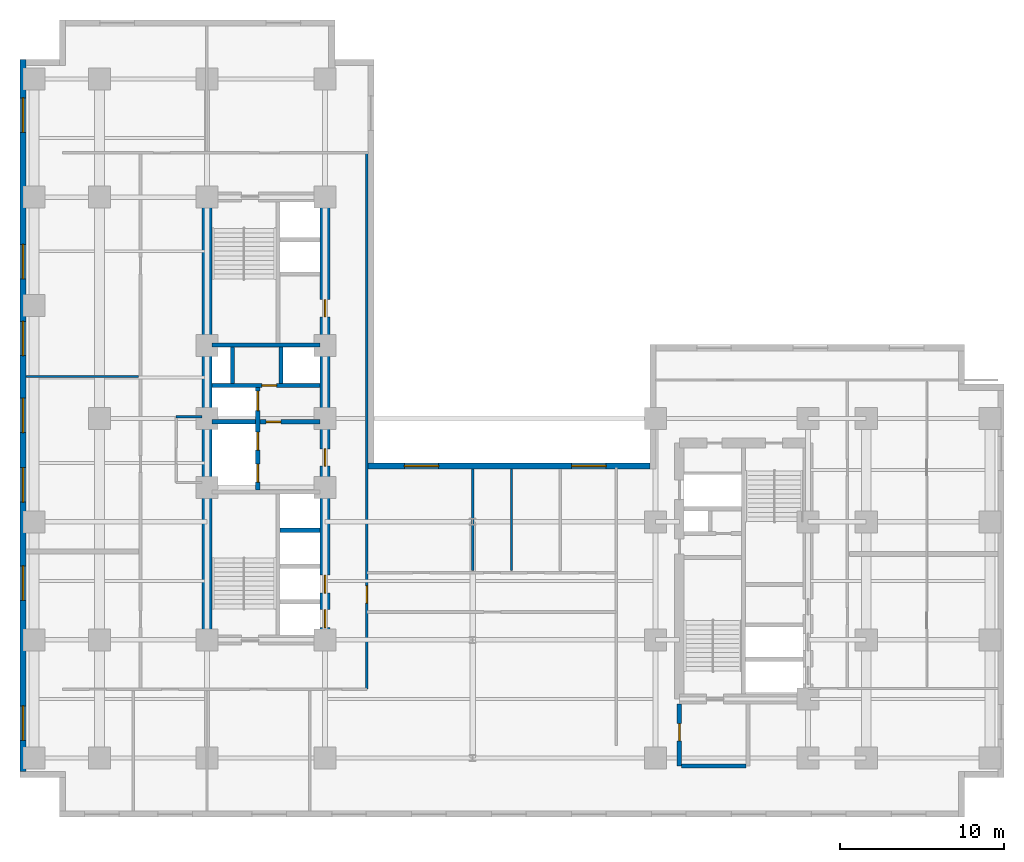
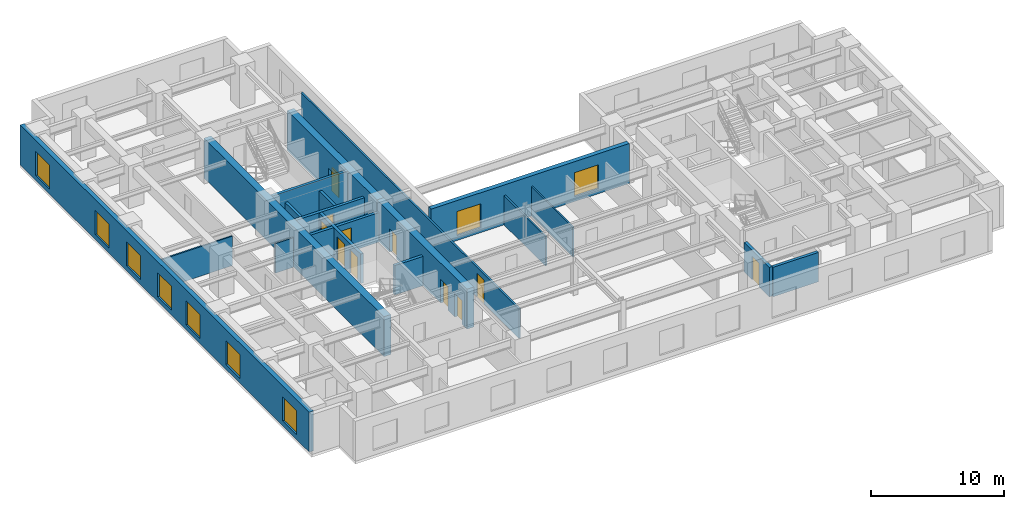
# One storey, part 4 of 9: 19 walls, 11 doors, 9 windows, 20 openings.
"""IFC4 building model written with IfcOpenShell, lengths in metres."""

from ifc_helpers import new_model, entity, si_unit, converted_unit, direction, frame, origin_with_axes, origin_2d_with_axis, place, context, subcontext, project, spatial, polyline, rectangle, outline, extrude, material, layer, layer_set, type_object, element, fill, save


model = new_model("IFC4")

# Units and contexts
model_context = context("Model", 3, precision=1e-05, world=origin_with_axes(), true_north=direction((0.0, 1.0)))
body_context = subcontext(model_context, "Body", "Model", "MODEL_VIEW")
ifc_project = project(units=[si_unit("LENGTHUNIT", "METRE"), si_unit("AREAUNIT", "SQUARE_METRE"), si_unit("VOLUMEUNIT", "CUBIC_METRE"), converted_unit("PLANEANGLEUNIT", "DEGREE", entity("IfcPlaneAngleMeasure", 0.017453292519943295), si_unit("PLANEANGLEUNIT", "RADIAN"), dimensions=[0, 0, 0, 0, 0, 0, 0]), si_unit("MASSUNIT", "GRAM", prefix="KILO"), si_unit("THERMODYNAMICTEMPERATUREUNIT", "KELVIN")], contexts=[model_context])

# Site, building, storey
site_placement = place(None, origin_with_axes())
site = spatial("IfcSite", under=ifc_project, at=site_placement, CompositionType="ELEMENT")
building_placement = place(site_placement, origin_with_axes())
building = spatial("IfcBuilding", under=site, at=building_placement, Name="Varnlund Millrace Tower", CompositionType="ELEMENT")
storey_placement = place(building_placement, frame((0.0, 0.0, 67.8), z_axis=(0.0, 0.0, 1.0), x_axis=(1.0, 0.0, 0.0)))
storey = spatial("IfcBuildingStorey", under=building, at=storey_placement, Name="L16", CompositionType="ELEMENT", Elevation=67.8)

# Wall
ifc_material_1 = material(Name="Concrete C80/95", Category="concrete")
ifc_layer_1 = layer(ifc_material_1, 0.6, Name="Concrete C80/95")
ifc_layer_set_1 = layer_set([ifc_layer_1], Name="Concrete C80/95")
wall_type_1 = type_object("IfcWallType", Name="Type-CoreWall-Shear-600-C80", PredefinedType="SHEAR", material=ifc_layer_set_1)
wall_1_placement = place(storey_placement, frame((11.4, 10.8, 0.0), z_axis=(0.0, 0.0, 1.0), x_axis=(0.0, 1.0, 0.0)))
element("IfcWall", 1, at=wall_1_placement, inside=storey, type_object=wall_type_1, Name="Type-CoreWall-Shear-600-C80", PredefinedType="SHEAR", context=body_context, shape_type="SweptSolid", body=[
    extrude(outline(polyline([(0.0, -0.3), (27.0, -0.3), (27.0, 0.3), (0.0, 0.3), (0.0, -0.3)])), origin_with_axes(), (0.0, 0.0, 1.0), 3.66),
])

# Wall, openings, doors
wall_2_placement = place(storey_placement, frame((18.6, 10.8, 0.0), z_axis=(0.0, 0.0, 1.0), x_axis=(0.0, 1.0, 0.0)))
wall_2 = element("IfcWall", 2, at=wall_2_placement, inside=storey, type_object=wall_type_1, Name="Type-CoreWall-Shear-600-C80", PredefinedType="SHEAR", context=body_context, shape_type="SweptSolid", body=[
    extrude(outline(polyline([(0.0, -0.3), (13.5, -0.3), (13.5, 0.3), (0.0, 0.3), (0.0, -0.3)])), origin_with_axes(), (0.0, 0.0, 1.0), 3.66),
])
opening_1_placement = place(wall_2_placement, frame((1.3, 0.0, 0.0), z_axis=(0.0, 0.0, 1.0), x_axis=(1.0, 0.0, 0.0)))
opening_1 = element("IfcOpeningElement", 3, at=opening_1_placement, cuts=wall_2, Name="Opening L16:LD-ELV-L1", PredefinedType="OPENING", context=body_context, shape_type="SweptSolid", body=[
    extrude(rectangle(XDim=1.1, YDim=0.62, at=origin_2d_with_axis()), origin_with_axes(), (0.0, 0.0, 1.0), 2.15),
])
opening_2_placement = place(wall_2_placement, frame((3.4, 0.0, 0.0), z_axis=(0.0, 0.0, 1.0), x_axis=(1.0, 0.0, 0.0)))
opening_2 = element("IfcOpeningElement", 4, at=opening_2_placement, cuts=wall_2, Name="Opening L16:LD-ELV-L2", PredefinedType="OPENING", context=body_context, shape_type="SweptSolid", body=[
    extrude(rectangle(XDim=1.1, YDim=0.62, at=origin_2d_with_axis()), origin_with_axes(), (0.0, 0.0, 1.0), 2.15),
])
opening_3_placement = place(wall_2_placement, frame((11.125, 0.0, 0.0), z_axis=(0.0, 0.0, 1.0), x_axis=(1.0, 0.0, 0.0)))
opening_3 = element("IfcOpeningElement", 5, at=opening_3_placement, cuts=wall_2, Name="Opening L16:DR-FFLOB-A", PredefinedType="OPENING", context=body_context, shape_type="SweptSolid", body=[
    extrude(rectangle(XDim=1.05, YDim=0.62, at=origin_2d_with_axis()), origin_with_axes(), (0.0, 0.0, 1.0), 2.15),
])
ifc_material_2 = material(Name="Smoke-barrier hollow steel fire door", Category="steel")
door_type_1 = type_object("IfcDoorType", Name="Type-FireDoor-Lobby-1050X2150", OperationType="NOTDEFINED", PredefinedType="DOOR", material=ifc_material_2)
door_1_placement = place(wall_2_placement, frame((11.125, 0.0, 0.0), z_axis=(0.0, 0.0, 1.0), x_axis=(1.0, 0.0, 0.0)))
door_1 = element("IfcDoor", 6, at=door_1_placement, inside=storey, type_object=door_type_1, Name="Type-FireDoor-Lobby-1050X2150", OperationType="SINGLE_SWING_LEFT", OverallHeight=2.15, OverallWidth=1.05, PredefinedType="DOOR", context=body_context, shape_type="SweptSolid", body=[
    extrude(rectangle(XDim=1.05, YDim=0.09, at=origin_2d_with_axis()), origin_with_axes(), (0.0, 0.0, 1.0), 2.15),
])
fill(opening_3, door_1)
ifc_material_3 = material(Name="Stainless and architectural bronze sliding landing door")
door_type_2 = type_object("IfcDoorType", Name="Type-LiftLandingDoor-1100X2150", OperationType="NOTDEFINED", PredefinedType="DOOR", material=ifc_material_3)
door_2_placement = place(wall_2_placement, frame((1.3, 0.0, 0.0), z_axis=(0.0, 0.0, 1.0), x_axis=(1.0, 0.0, 0.0)))
door_2 = element("IfcDoor", 7, at=door_2_placement, inside=storey, type_object=door_type_2, Name="Type-LiftLandingDoor-1100X2150", OperationType="SLIDING_TO_LEFT", OverallHeight=2.15, OverallWidth=1.1, PredefinedType="DOOR", context=body_context, shape_type="SweptSolid", body=[
    extrude(rectangle(XDim=1.1, YDim=0.09, at=origin_2d_with_axis()), origin_with_axes(), (0.0, 0.0, 1.0), 2.15),
])
fill(opening_1, door_2)
door_3_placement = place(wall_2_placement, frame((3.4, 0.0, 0.0), z_axis=(0.0, 0.0, 1.0), x_axis=(1.0, 0.0, 0.0)))
door_3 = element("IfcDoor", 8, at=door_3_placement, inside=storey, type_object=door_type_2, Name="Type-LiftLandingDoor-1100X2150", OperationType="SLIDING_TO_RIGHT", OverallHeight=2.15, OverallWidth=1.1, PredefinedType="DOOR", context=body_context, shape_type="SweptSolid", body=[
    extrude(rectangle(XDim=1.1, YDim=0.09, at=origin_2d_with_axis()), origin_with_axes(), (0.0, 0.0, 1.0), 2.15),
])
fill(opening_2, door_3)

# Wall, opening, door
wall_3_placement = place(storey_placement, frame((18.6, 24.3, 0.0), z_axis=(0.0, 0.0, 1.0), x_axis=(0.0, 1.0, 0.0)))
wall_3 = element("IfcWall", 9, at=wall_3_placement, inside=storey, type_object=wall_type_1, Name="Type-CoreWall-Shear-600-C80", PredefinedType="SHEAR", context=body_context, shape_type="SweptSolid", body=[
    extrude(outline(polyline([(0.0, -0.3), (13.5, -0.3), (13.5, 0.3), (0.0, 0.3), (0.0, -0.3)])), origin_with_axes(), (0.0, 0.0, 1.0), 3.66),
])
opening_4_placement = place(wall_3_placement, frame((6.725, 0.0, 0.0), z_axis=(0.0, 0.0, 1.0), x_axis=(1.0, 0.0, 0.0)))
opening_4 = element("IfcOpeningElement", 10, at=opening_4_placement, cuts=wall_3, Name="Opening L16:DR-CA-WC1", PredefinedType="OPENING", context=body_context, shape_type="SweptSolid", body=[
    extrude(rectangle(XDim=1.05, YDim=0.62, at=origin_2d_with_axis()), origin_with_axes(), (0.0, 0.0, 1.0), 2.15),
])
door_4_placement = place(wall_3_placement, frame((6.725, 0.0, 0.0), z_axis=(0.0, 0.0, 1.0), x_axis=(1.0, 0.0, 0.0)))
door_4 = element("IfcDoor", 11, at=door_4_placement, inside=storey, type_object=door_type_1, Name="Type-FireDoor-Lobby-1050X2150", OperationType="SINGLE_SWING_LEFT", OverallHeight=2.15, OverallWidth=1.05, PredefinedType="DOOR", context=body_context, shape_type="SweptSolid", body=[
    extrude(rectangle(XDim=1.05, YDim=0.09, at=origin_2d_with_axis()), origin_with_axes(), (0.0, 0.0, 1.0), 2.15),
])
fill(opening_4, door_4)

# Wall, openings, windows
ifc_material_4 = material(Name="Precast concrete C50/60", Category="concrete")
ifc_layer_2 = layer(ifc_material_4, 0.38, Name="Precast concrete C50/60")
ifc_layer_set_2 = layer_set([ifc_layer_2], Name="Precast concrete C50/60")
wall_type_2 = type_object("IfcWallType", Name="Type-ExtWall-Precast-Tube-380", PredefinedType="SOLIDWALL", material=ifc_layer_set_2)
wall_4_placement = place(storey_placement, frame((0.19, 2.78, 0.0), z_axis=(0.0, 0.0, 1.0), x_axis=(0.0, 1.0, 0.0)))
wall_4 = element("IfcWall", 12, at=wall_4_placement, inside=storey, type_object=wall_type_2, Name="Type-ExtWall-Precast-Tube-380", PredefinedType="SOLIDWALL", context=body_context, shape_type="SweptSolid", body=[
    extrude(outline(polyline([(0.0, -0.19), (43.42, -0.19), (43.42, 0.19), (0.0, 0.19), (0.0, -0.19)])), origin_with_axes(), (0.0, 0.0, 1.0), 3.66),
])
opening_5_placement = place(wall_4_placement, frame((2.946, 0.0, 0.45), z_axis=(0.0, 0.0, 1.0), x_axis=(1.0, 0.0, 0.0)))
opening_5 = element("IfcOpeningElement", 13, at=opening_5_placement, cuts=wall_4, Name="Opening L16:WN-17", PredefinedType="OPENING", context=body_context, shape_type="SweptSolid", body=[
    extrude(rectangle(XDim=2.1, YDim=0.4, at=origin_2d_with_axis()), origin_with_axes(), (0.0, 0.0, 1.0), 2.2),
])
opening_6_placement = place(wall_4_placement, frame((11.478, 0.0, 0.45), z_axis=(0.0, 0.0, 1.0), x_axis=(1.0, 0.0, 0.0)))
opening_6 = element("IfcOpeningElement", 14, at=opening_6_placement, cuts=wall_4, Name="Opening L16:WN-18", PredefinedType="OPENING", context=body_context, shape_type="SweptSolid", body=[
    extrude(rectangle(XDim=2.1, YDim=0.4, at=origin_2d_with_axis()), origin_with_axes(), (0.0, 0.0, 1.0), 2.2),
])
opening_7_placement = place(wall_4_placement, frame((17.469, 0.0, 0.45), z_axis=(0.0, 0.0, 1.0), x_axis=(1.0, 0.0, 0.0)))
opening_7 = element("IfcOpeningElement", 15, at=opening_7_placement, cuts=wall_4, Name="Opening L16:WN-19", PredefinedType="OPENING", context=body_context, shape_type="SweptSolid", body=[
    extrude(rectangle(XDim=2.1, YDim=0.4, at=origin_2d_with_axis()), origin_with_axes(), (0.0, 0.0, 1.0), 2.2),
])
opening_8_placement = place(wall_4_placement, frame((21.71, 0.0, 0.45), z_axis=(0.0, 0.0, 1.0), x_axis=(1.0, 0.0, 0.0)))
opening_8 = element("IfcOpeningElement", 16, at=opening_8_placement, cuts=wall_4, Name="Opening L16:WN-20", PredefinedType="OPENING", context=body_context, shape_type="SweptSolid", body=[
    extrude(rectangle(XDim=2.1, YDim=0.4, at=origin_2d_with_axis()), origin_with_axes(), (0.0, 0.0, 1.0), 2.2),
])
opening_9_placement = place(wall_4_placement, frame((26.401, 0.0, 0.45), z_axis=(0.0, 0.0, 1.0), x_axis=(1.0, 0.0, 0.0)))
opening_9 = element("IfcOpeningElement", 17, at=opening_9_placement, cuts=wall_4, Name="Opening L16:WN-21", PredefinedType="OPENING", context=body_context, shape_type="SweptSolid", body=[
    extrude(rectangle(XDim=2.1, YDim=0.4, at=origin_2d_with_axis()), origin_with_axes(), (0.0, 0.0, 1.0), 2.2),
])
opening_10_placement = place(wall_4_placement, frame((31.092, 0.0, 0.45), z_axis=(0.0, 0.0, 1.0), x_axis=(1.0, 0.0, 0.0)))
opening_10 = element("IfcOpeningElement", 18, at=opening_10_placement, cuts=wall_4, Name="Opening L16:WN-22", PredefinedType="OPENING", context=body_context, shape_type="SweptSolid", body=[
    extrude(rectangle(XDim=2.1, YDim=0.4, at=origin_2d_with_axis()), origin_with_axes(), (0.0, 0.0, 1.0), 2.2),
])
opening_11_placement = place(wall_4_placement, frame((40.024, 0.0, 0.45), z_axis=(0.0, 0.0, 1.0), x_axis=(1.0, 0.0, 0.0)))
opening_11 = element("IfcOpeningElement", 19, at=opening_11_placement, cuts=wall_4, Name="Opening L16:WN-23", PredefinedType="OPENING", context=body_context, shape_type="SweptSolid", body=[
    extrude(rectangle(XDim=2.1, YDim=0.4, at=origin_2d_with_axis()), origin_with_axes(), (0.0, 0.0, 1.0), 2.2),
])
ifc_material_5 = material(Name="Argon low-e triple glazing in thermally broken bronze frame", Category="glass")
window_type = type_object("IfcWindowType", Name="Type-Window-Punched-2100X2200", PartitioningType="SINGLE_PANEL", PredefinedType="WINDOW", material=ifc_material_5)
window_1_placement = place(wall_4_placement, frame((2.946, 0.0, 0.45), z_axis=(0.0, 0.0, 1.0), x_axis=(1.0, 0.0, 0.0)))
window_1 = element("IfcWindow", 20, at=window_1_placement, inside=storey, type_object=window_type, Name="Type-Window-Punched-2100X2200", OverallHeight=2.2, OverallWidth=2.1, PredefinedType="WINDOW", context=body_context, shape_type="SweptSolid", body=[
    extrude(rectangle(XDim=2.1, YDim=0.09, at=origin_2d_with_axis()), origin_with_axes(), (0.0, 0.0, 1.0), 2.2),
])
fill(opening_5, window_1)
window_2_placement = place(wall_4_placement, frame((11.478, 0.0, 0.45), z_axis=(0.0, 0.0, 1.0), x_axis=(1.0, 0.0, 0.0)))
window_2 = element("IfcWindow", 21, at=window_2_placement, inside=storey, type_object=window_type, Name="Type-Window-Punched-2100X2200", OverallHeight=2.2, OverallWidth=2.1, PredefinedType="WINDOW", context=body_context, shape_type="SweptSolid", body=[
    extrude(rectangle(XDim=2.1, YDim=0.09, at=origin_2d_with_axis()), origin_with_axes(), (0.0, 0.0, 1.0), 2.2),
])
fill(opening_6, window_2)
window_3_placement = place(wall_4_placement, frame((17.469, 0.0, 0.45), z_axis=(0.0, 0.0, 1.0), x_axis=(1.0, 0.0, 0.0)))
window_3 = element("IfcWindow", 22, at=window_3_placement, inside=storey, type_object=window_type, Name="Type-Window-Punched-2100X2200", OverallHeight=2.2, OverallWidth=2.1, PredefinedType="WINDOW", context=body_context, shape_type="SweptSolid", body=[
    extrude(rectangle(XDim=2.1, YDim=0.09, at=origin_2d_with_axis()), origin_with_axes(), (0.0, 0.0, 1.0), 2.2),
])
fill(opening_7, window_3)
window_4_placement = place(wall_4_placement, frame((21.71, 0.0, 0.45), z_axis=(0.0, 0.0, 1.0), x_axis=(1.0, 0.0, 0.0)))
window_4 = element("IfcWindow", 23, at=window_4_placement, inside=storey, type_object=window_type, Name="Type-Window-Punched-2100X2200", OverallHeight=2.2, OverallWidth=2.1, PredefinedType="WINDOW", context=body_context, shape_type="SweptSolid", body=[
    extrude(rectangle(XDim=2.1, YDim=0.09, at=origin_2d_with_axis()), origin_with_axes(), (0.0, 0.0, 1.0), 2.2),
])
fill(opening_8, window_4)
window_5_placement = place(wall_4_placement, frame((26.401, 0.0, 0.45), z_axis=(0.0, 0.0, 1.0), x_axis=(1.0, 0.0, 0.0)))
window_5 = element("IfcWindow", 24, at=window_5_placement, inside=storey, type_object=window_type, Name="Type-Window-Punched-2100X2200", OverallHeight=2.2, OverallWidth=2.1, PredefinedType="WINDOW", context=body_context, shape_type="SweptSolid", body=[
    extrude(rectangle(XDim=2.1, YDim=0.09, at=origin_2d_with_axis()), origin_with_axes(), (0.0, 0.0, 1.0), 2.2),
])
fill(opening_9, window_5)
window_6_placement = place(wall_4_placement, frame((31.092, 0.0, 0.45), z_axis=(0.0, 0.0, 1.0), x_axis=(1.0, 0.0, 0.0)))
window_6 = element("IfcWindow", 25, at=window_6_placement, inside=storey, type_object=window_type, Name="Type-Window-Punched-2100X2200", OverallHeight=2.2, OverallWidth=2.1, PredefinedType="WINDOW", context=body_context, shape_type="SweptSolid", body=[
    extrude(rectangle(XDim=2.1, YDim=0.09, at=origin_2d_with_axis()), origin_with_axes(), (0.0, 0.0, 1.0), 2.2),
])
fill(opening_10, window_6)
window_7_placement = place(wall_4_placement, frame((40.024, 0.0, 0.45), z_axis=(0.0, 0.0, 1.0), x_axis=(1.0, 0.0, 0.0)))
window_7 = element("IfcWindow", 26, at=window_7_placement, inside=storey, type_object=window_type, Name="Type-Window-Punched-2100X2200", OverallHeight=2.2, OverallWidth=2.1, PredefinedType="WINDOW", context=body_context, shape_type="SweptSolid", body=[
    extrude(rectangle(XDim=2.1, YDim=0.09, at=origin_2d_with_axis()), origin_with_axes(), (0.0, 0.0, 1.0), 2.2),
])
fill(opening_11, window_7)

wall_5_placement = place(storey_placement, frame((21.22, 21.41, 0.0), z_axis=(0.0, 0.0, 1.0), x_axis=(1.0, 0.0, 0.0)))
wall_5 = element("IfcWall", 27, at=wall_5_placement, inside=storey, type_object=wall_type_2, Name="Type-ExtWall-Precast-Tube-380", PredefinedType="SOLIDWALL", context=body_context, shape_type="SweptSolid", body=[
    extrude(outline(polyline([(0.0, -0.19), (17.18, -0.19), (17.18, 0.19), (0.0, 0.19), (0.0, -0.19)])), origin_with_axes(), (0.0, 0.0, 1.0), 3.66),
])
opening_12_placement = place(wall_5_placement, frame((3.263, 0.0, 0.45), z_axis=(0.0, 0.0, 1.0), x_axis=(1.0, 0.0, 0.0)))
opening_12 = element("IfcOpeningElement", 28, at=opening_12_placement, cuts=wall_5, Name="Opening L16:WN-27", PredefinedType="OPENING", context=body_context, shape_type="SweptSolid", body=[
    extrude(rectangle(XDim=2.1, YDim=0.4, at=origin_2d_with_axis()), origin_with_axes(), (0.0, 0.0, 1.0), 2.2),
])
opening_13_placement = place(wall_5_placement, frame((13.467, 0.0, 0.45), z_axis=(0.0, 0.0, 1.0), x_axis=(1.0, 0.0, 0.0)))
opening_13 = element("IfcOpeningElement", 29, at=opening_13_placement, cuts=wall_5, Name="Opening L16:WN-28", PredefinedType="OPENING", context=body_context, shape_type="SweptSolid", body=[
    extrude(rectangle(XDim=2.1, YDim=0.4, at=origin_2d_with_axis()), origin_with_axes(), (0.0, 0.0, 1.0), 2.2),
])
window_8_placement = place(wall_5_placement, frame((3.263, 0.0, 0.45), z_axis=(0.0, 0.0, 1.0), x_axis=(1.0, 0.0, 0.0)))
window_8 = element("IfcWindow", 30, at=window_8_placement, inside=storey, type_object=window_type, Name="Type-Window-Punched-2100X2200", OverallHeight=2.2, OverallWidth=2.1, PredefinedType="WINDOW", context=body_context, shape_type="SweptSolid", body=[
    extrude(rectangle(XDim=2.1, YDim=0.09, at=origin_2d_with_axis()), origin_with_axes(), (0.0, 0.0, 1.0), 2.2),
])
fill(opening_12, window_8)
window_9_placement = place(wall_5_placement, frame((13.467, 0.0, 0.45), z_axis=(0.0, 0.0, 1.0), x_axis=(1.0, 0.0, 0.0)))
window_9 = element("IfcWindow", 31, at=window_9_placement, inside=storey, type_object=window_type, Name="Type-Window-Punched-2100X2200", OverallHeight=2.2, OverallWidth=2.1, PredefinedType="WINDOW", context=body_context, shape_type="SweptSolid", body=[
    extrude(rectangle(XDim=2.1, YDim=0.09, at=origin_2d_with_axis()), origin_with_axes(), (0.0, 0.0, 1.0), 2.2),
])
fill(opening_13, window_9)

# Wall, opening, door
ifc_material_6 = material(Name="Fire-rated gypsum board on cold-formed steel framing", Category="steel")
ifc_layer_3 = layer(ifc_material_6, 0.16, Name="Fire-rated gypsum board on cold-formed steel framing")
ifc_layer_set_3 = layer_set([ifc_layer_3], Name="Fire-rated gypsum board on cold-formed steel framing")
wall_type_3 = type_object("IfcWallType", Name="Type-Partition-Corridor-160", PredefinedType="PARTITIONING", material=ifc_layer_set_3)
wall_6_placement = place(storey_placement, frame((21.15, 7.8, 0.0), z_axis=(0.0, 0.0, 1.0), x_axis=(0.0, 1.0, 0.0)))
wall_6 = element("IfcWall", 32, at=wall_6_placement, inside=storey, type_object=wall_type_3, Name="Type-Partition-Corridor-160", PredefinedType="PARTITIONING", context=body_context, shape_type="SweptSolid", body=[
    extrude(outline(polyline([(0.0, -0.08), (32.7, -0.08), (32.7, 0.08), (0.0, 0.08), (0.0, -0.08)])), origin_with_axes(), (0.0, 0.0, 1.0), 2.7),
])
opening_14_placement = place(wall_6_placement, frame((5.775, 0.0, 0.0), z_axis=(0.0, 0.0, 1.0), x_axis=(1.0, 0.0, 0.0)))
opening_14 = element("IfcOpeningElement", 33, at=opening_14_placement, cuts=wall_6, Name="Opening L16:DR-KN-W", PredefinedType="OPENING", context=body_context, shape_type="SweptSolid", body=[
    extrude(rectangle(XDim=1.05, YDim=0.18, at=origin_2d_with_axis()), origin_with_axes(), (0.0, 0.0, 1.0), 2.15),
])
door_5_placement = place(wall_6_placement, frame((5.775, 0.0, 0.0), z_axis=(0.0, 0.0, 1.0), x_axis=(1.0, 0.0, 0.0)))
door_5 = element("IfcDoor", 34, at=door_5_placement, inside=storey, type_object=door_type_1, Name="Type-FireDoor-Lobby-1050X2150", OperationType="SINGLE_SWING_LEFT", OverallHeight=2.15, OverallWidth=1.05, PredefinedType="DOOR", context=body_context, shape_type="SweptSolid", body=[
    extrude(rectangle(XDim=1.05, YDim=0.09, at=origin_2d_with_axis()), origin_with_axes(), (0.0, 0.0, 1.0), 2.15),
])
fill(opening_14, door_5)

# Walls
ifc_material_7 = material(Name="Acoustic STC-50 gypsum board partition", Category="gypsum")
ifc_layer_4 = layer(ifc_material_7, 0.15, Name="Acoustic STC-50 gypsum board partition")
ifc_layer_set_4 = layer_set([ifc_layer_4], Name="Acoustic STC-50 gypsum board partition")
wall_type_4 = type_object("IfcWallType", Name="Type-Partition-Demising-150", PredefinedType="PARTITIONING", material=ifc_layer_set_4)
wall_7_placement = place(storey_placement, frame((27.6, 15.02, 0.0), z_axis=(0.0, 0.0, 1.0), x_axis=(0.0, 1.0, 0.0)))
element("IfcWall", 35, at=wall_7_placement, inside=storey, type_object=wall_type_4, Name="Type-Partition-Demising-150", PredefinedType="PARTITIONING", context=body_context, shape_type="SweptSolid", body=[
    extrude(outline(polyline([(0.0, -0.075), (6.205, -0.075), (6.205, 0.075), (0.0, 0.075), (0.0, -0.075)])), origin_with_axes(), (0.0, 0.0, 1.0), 2.7),
])
ifc_material_8 = material(Name="Gypsum board tenant partition", Category="gypsum")
ifc_layer_5 = layer(ifc_material_8, 0.125, Name="Gypsum board tenant partition")
ifc_layer_set_5 = layer_set([ifc_layer_5], Name="Gypsum board tenant partition")
wall_type_5 = type_object("IfcWallType", Name="Type-Partition-Tenant-125", PredefinedType="PARTITIONING", material=ifc_layer_set_5)
wall_8_placement = place(storey_placement, frame((0.375, 26.867, 0.0), z_axis=(0.0, 0.0, 1.0), x_axis=(1.0, 0.0, 0.0)))
element("IfcWall", 36, at=wall_8_placement, inside=storey, type_object=wall_type_5, Name="Type-Partition-Tenant-125", PredefinedType="PARTITIONING", context=body_context, shape_type="SweptSolid", body=[
    extrude(outline(polyline([(0.0, -0.0625), (6.855, -0.0625), (6.855, 0.0625), (0.0, 0.0625), (0.0, -0.0625)])), origin_with_axes(), (0.0, 0.0, 1.0), 2.7),
])
wall_9_placement = place(storey_placement, frame((29.964, 15.02, 0.0), z_axis=(0.0, 0.0, 1.0), x_axis=(0.0, 1.0, 0.0)))
element("IfcWall", 37, at=wall_9_placement, inside=storey, type_object=wall_type_5, Name="Type-Partition-Tenant-125", PredefinedType="PARTITIONING", context=body_context, shape_type="SweptSolid", body=[
    extrude(outline(polyline([(0.0, -0.0625), (6.205, -0.0625), (6.205, 0.0625), (0.0, 0.0625), (0.0, -0.0625)])), origin_with_axes(), (0.0, 0.0, 1.0), 2.7),
])
ifc_material_9 = material(Name="Moisture-resistant gypsum restroom partition", Category="gypsum")
ifc_layer_6 = layer(ifc_material_9, 0.14, Name="Moisture-resistant gypsum restroom partition")
ifc_layer_set_6 = layer_set([ifc_layer_6], Name="Moisture-resistant gypsum restroom partition")
wall_type_6 = type_object("IfcWallType", Name="Type-Partition-Wet-140", PredefinedType="PARTITIONING", material=ifc_layer_set_6)
wall_10_placement = place(storey_placement, frame((9.52, 24.4, 0.0), z_axis=(0.0, 0.0, 1.0), x_axis=(1.0, 0.0, 0.0)))
element("IfcWall", 38, at=wall_10_placement, inside=storey, type_object=wall_type_6, Name="Type-Partition-Wet-140", PredefinedType="PARTITIONING", context=body_context, shape_type="SweptSolid", body=[
    extrude(outline(polyline([(0.0, -0.07), (1.58, -0.07), (1.58, 0.07), (0.0, 0.07), (0.0, -0.07)])), origin_with_axes(), (0.0, 0.0, 1.0), 2.7),
])

# Wall, openings, doors
ifc_material_10 = material(Name="Concrete C60/75", Category="concrete")
ifc_layer_7 = layer(ifc_material_10, 0.25, Name="Concrete C60/75")
ifc_layer_set_7 = layer_set([ifc_layer_7], Name="Concrete C60/75")
wall_type_7 = type_object("IfcWallType", Name="Type-ShaftWall-Fire-250", PredefinedType="SOLIDWALL", material=ifc_layer_set_7)
wall_11_placement = place(storey_placement, frame((14.5, 19.95, 0.0), z_axis=(0.0, 0.0, 1.0), x_axis=(0.0, 1.0, 0.0)))
wall_11 = element("IfcWall", 39, at=wall_11_placement, inside=storey, type_object=wall_type_7, Name="Type-ShaftWall-Fire-250", PredefinedType="SOLIDWALL", context=body_context, shape_type="SweptSolid", body=[
    extrude(outline(polyline([(0.0, -0.125), (6.25, -0.125), (6.25, 0.125), (0.0, 0.125), (0.0, -0.125)])), origin_with_axes(), (0.0, 0.0, 1.0), 2.7),
])
opening_15_placement = place(wall_11_placement, frame((1.025, 0.0, 0.0), z_axis=(0.0, 0.0, 1.0), x_axis=(1.0, 0.0, 0.0)))
opening_15 = element("IfcOpeningElement", 40, at=opening_15_placement, cuts=wall_11, Name="Opening L16:LD-FSAE1", PredefinedType="OPENING", context=body_context, shape_type="SweptSolid", body=[
    extrude(rectangle(XDim=1.1, YDim=0.27, at=origin_2d_with_axis()), origin_with_axes(), (0.0, 0.0, 1.0), 2.15),
])
opening_16_placement = place(wall_11_placement, frame((2.975, 0.0, 0.0), z_axis=(0.0, 0.0, 1.0), x_axis=(1.0, 0.0, 0.0)))
opening_16 = element("IfcOpeningElement", 41, at=opening_16_placement, cuts=wall_11, Name="Opening L16:LD-FSAE2", PredefinedType="OPENING", context=body_context, shape_type="SweptSolid", body=[
    extrude(rectangle(XDim=1.1, YDim=0.27, at=origin_2d_with_axis()), origin_with_axes(), (0.0, 0.0, 1.0), 2.15),
])
opening_17_placement = place(wall_11_placement, frame((5.425, 0.0, 0.0), z_axis=(0.0, 0.0, 1.0), x_axis=(1.0, 0.0, 0.0)))
opening_17 = element("IfcOpeningElement", 42, at=opening_17_placement, cuts=wall_11, Name="Opening L16:LD-SRV1", PredefinedType="OPENING", context=body_context, shape_type="SweptSolid", body=[
    extrude(rectangle(XDim=1.2, YDim=0.27, at=origin_2d_with_axis()), origin_with_axes(), (0.0, 0.0, 1.0), 2.15),
])
door_6_placement = place(wall_11_placement, frame((1.025, 0.0, 0.0), z_axis=(0.0, 0.0, 1.0), x_axis=(1.0, 0.0, 0.0)))
door_6 = element("IfcDoor", 43, at=door_6_placement, inside=storey, type_object=door_type_2, Name="Type-LiftLandingDoor-1100X2150", OperationType="SLIDING_TO_LEFT", OverallHeight=2.15, OverallWidth=1.1, PredefinedType="DOOR", context=body_context, shape_type="SweptSolid", body=[
    extrude(rectangle(XDim=1.1, YDim=0.09, at=origin_2d_with_axis()), origin_with_axes(), (0.0, 0.0, 1.0), 2.15),
])
fill(opening_15, door_6)
door_7_placement = place(wall_11_placement, frame((2.975, 0.0, 0.0), z_axis=(0.0, 0.0, 1.0), x_axis=(1.0, 0.0, 0.0)))
door_7 = element("IfcDoor", 44, at=door_7_placement, inside=storey, type_object=door_type_2, Name="Type-LiftLandingDoor-1100X2150", OperationType="SLIDING_TO_RIGHT", OverallHeight=2.15, OverallWidth=1.1, PredefinedType="DOOR", context=body_context, shape_type="SweptSolid", body=[
    extrude(rectangle(XDim=1.1, YDim=0.09, at=origin_2d_with_axis()), origin_with_axes(), (0.0, 0.0, 1.0), 2.15),
])
fill(opening_16, door_7)
ifc_material_11 = material(Name="Heavy-duty freight sliding landing door")
door_type_3 = type_object("IfcDoorType", Name="Type-LiftLandingDoor-Service-1200X2150", OperationType="NOTDEFINED", PredefinedType="DOOR", material=ifc_material_11)
door_8_placement = place(wall_11_placement, frame((5.425, 0.0, 0.0), z_axis=(0.0, 0.0, 1.0), x_axis=(1.0, 0.0, 0.0)))
door_8 = element("IfcDoor", 45, at=door_8_placement, inside=storey, type_object=door_type_3, Name="Type-LiftLandingDoor-Service-1200X2150", OperationType="DOUBLE_DOOR_SLIDING", OverallHeight=2.15, OverallWidth=1.2, PredefinedType="DOOR", context=body_context, shape_type="SweptSolid", body=[
    extrude(rectangle(XDim=1.2, YDim=0.09, at=origin_2d_with_axis()), origin_with_axes(), (0.0, 0.0, 1.0), 2.15),
])
fill(opening_17, door_8)

# Wall, opening, door
wall_12_placement = place(storey_placement, frame((11.7, 24.1, 0.0), z_axis=(0.0, 0.0, 1.0), x_axis=(1.0, 0.0, 0.0)))
wall_12 = element("IfcWall", 46, at=wall_12_placement, inside=storey, type_object=wall_type_7, Name="Type-ShaftWall-Fire-250", PredefinedType="SOLIDWALL", context=body_context, shape_type="SweptSolid", body=[
    extrude(outline(polyline([(0.0, -0.125), (6.6, -0.125), (6.6, 0.125), (0.0, 0.125), (0.0, -0.125)])), origin_with_axes(), (0.0, 0.0, 1.0), 2.7),
])
opening_18_placement = place(wall_12_placement, frame((3.75, 0.0, 0.0), z_axis=(0.0, 0.0, 1.0), x_axis=(1.0, 0.0, 0.0)))
opening_18 = element("IfcOpeningElement", 47, at=opening_18_placement, cuts=wall_12, Name="Opening L16:DR-CA-SRV1", PredefinedType="OPENING", context=body_context, shape_type="SweptSolid", body=[
    extrude(rectangle(XDim=0.9, YDim=0.27, at=origin_2d_with_axis()), origin_with_axes(), (0.0, 0.0, 1.0), 2.15),
])
ifc_material_12 = material(Name="Fire-rated hollow steel service closet door", Category="steel")
door_type_4 = type_object("IfcDoorType", Name="Type-FireDoor-Closet-900X2150", OperationType="NOTDEFINED", PredefinedType="DOOR", material=ifc_material_12)
door_9_placement = place(wall_12_placement, frame((3.75, 0.0, 0.0), z_axis=(0.0, 0.0, 1.0), x_axis=(1.0, 0.0, 0.0)))
door_9 = element("IfcDoor", 48, at=door_9_placement, inside=storey, type_object=door_type_4, Name="Type-FireDoor-Closet-900X2150", OperationType="SINGLE_SWING_LEFT", OverallHeight=2.15, OverallWidth=0.9, PredefinedType="DOOR", context=body_context, shape_type="SweptSolid", body=[
    extrude(rectangle(XDim=0.9, YDim=0.09, at=origin_2d_with_axis()), origin_with_axes(), (0.0, 0.0, 1.0), 2.15),
])
fill(opening_18, door_9)

wall_13_placement = place(storey_placement, frame((11.7, 26.325, 0.0), z_axis=(0.0, 0.0, 1.0), x_axis=(1.0, 0.0, 0.0)))
wall_13 = element("IfcWall", 49, at=wall_13_placement, inside=storey, type_object=wall_type_7, Name="Type-ShaftWall-Fire-250", PredefinedType="SOLIDWALL", context=body_context, shape_type="SweptSolid", body=[
    extrude(outline(polyline([(0.0, -0.125), (6.6, -0.125), (6.6, 0.125), (0.0, 0.125), (0.0, -0.125)])), origin_with_axes(), (0.0, 0.0, 1.0), 2.7),
])
opening_19_placement = place(wall_13_placement, frame((3.5, 0.0, 0.0), z_axis=(0.0, 0.0, 1.0), x_axis=(1.0, 0.0, 0.0)))
opening_19 = element("IfcOpeningElement", 50, at=opening_19_placement, cuts=wall_13, Name="Opening L16:DR-CA-ELC", PredefinedType="OPENING", context=body_context, shape_type="SweptSolid", body=[
    extrude(rectangle(XDim=0.9, YDim=0.27, at=origin_2d_with_axis()), origin_with_axes(), (0.0, 0.0, 1.0), 2.15),
])
door_10_placement = place(wall_13_placement, frame((3.5, 0.0, 0.0), z_axis=(0.0, 0.0, 1.0), x_axis=(1.0, 0.0, 0.0)))
door_10 = element("IfcDoor", 51, at=door_10_placement, inside=storey, type_object=door_type_4, Name="Type-FireDoor-Closet-900X2150", OperationType="SINGLE_SWING_LEFT", OverallHeight=2.15, OverallWidth=0.9, PredefinedType="DOOR", context=body_context, shape_type="SweptSolid", body=[
    extrude(rectangle(XDim=0.9, YDim=0.09, at=origin_2d_with_axis()), origin_with_axes(), (0.0, 0.0, 1.0), 2.15),
])
fill(opening_19, door_10)

# Walls
for number, where, z_axis, x_axis, name in (
    (52, (12.96, 26.45, 0.0), (0.0, 0.0, 1.0), (0.0, 1.0, 0.0), "Type-ShaftWall-Fire-250"),
    (53, (15.925, 26.45, 0.0), (0.0, 0.0, 1.0), (0.0, 1.0, 0.0), "Type-ShaftWall-Fire-250"),
):
    element("IfcWall", number, at=place(storey_placement, frame(where, z_axis=z_axis, x_axis=x_axis)), inside=storey, type_object=wall_type_7, Name=name, PredefinedType="SOLIDWALL", context=body_context, shape_type="SweptSolid", body=[
        extrude(outline(polyline([(0.0, -0.125), (2.2, -0.125), (2.2, 0.125), (0.0, 0.125), (0.0, -0.125)])), origin_with_axes(), (0.0, 0.0, 1.0), 2.7),
    ])

# Wall, opening, door
wall_14_placement = place(storey_placement, frame((40.2, 3.1, 0.0), z_axis=(0.0, 0.0, 1.0), x_axis=(0.0, 1.0, 0.0)))
wall_14 = element("IfcWall", 54, at=wall_14_placement, inside=storey, type_object=wall_type_7, Name="Type-ShaftWall-Fire-250", PredefinedType="SOLIDWALL", context=body_context, shape_type="SweptSolid", body=[
    extrude(outline(polyline([(0.0, -0.125), (3.8, -0.125), (3.8, 0.125), (0.0, 0.125), (0.0, -0.125)])), origin_with_axes(), (0.0, 0.0, 1.0), 2.7),
])
opening_20_placement = place(wall_14_placement, frame((2.075, 0.0, 0.0), z_axis=(0.0, 0.0, 1.0), x_axis=(1.0, 0.0, 0.0)))
opening_20 = element("IfcOpeningElement", 55, at=opening_20_placement, cuts=wall_14, Name="Opening L16:DR-FFLOB-B", PredefinedType="OPENING", context=body_context, shape_type="SweptSolid", body=[
    extrude(rectangle(XDim=1.05, YDim=0.27, at=origin_2d_with_axis()), origin_with_axes(), (0.0, 0.0, 1.0), 2.15),
])
door_11_placement = place(wall_14_placement, frame((2.075, 0.0, 0.0), z_axis=(0.0, 0.0, 1.0), x_axis=(1.0, 0.0, 0.0)))
door_11 = element("IfcDoor", 56, at=door_11_placement, inside=storey, type_object=door_type_1, Name="Type-FireDoor-Lobby-1050X2150", OperationType="SINGLE_SWING_LEFT", OverallHeight=2.15, OverallWidth=1.05, PredefinedType="DOOR", context=body_context, shape_type="SweptSolid", body=[
    extrude(rectangle(XDim=1.05, YDim=0.09, at=origin_2d_with_axis()), origin_with_axes(), (0.0, 0.0, 1.0), 2.15),
])
fill(opening_20, door_11)

# Walls
wall_15_placement = place(storey_placement, frame((40.325, 3.1, 0.0), z_axis=(0.0, 0.0, 1.0), x_axis=(1.0, 0.0, 0.0)))
element("IfcWall", 57, at=wall_15_placement, inside=storey, type_object=wall_type_7, Name="Type-ShaftWall-Fire-250", PredefinedType="SOLIDWALL", context=body_context, shape_type="SweptSolid", body=[
    extrude(outline(polyline([(0.0, -0.125), (3.95, -0.125), (3.95, 0.125), (0.0, 0.125), (0.0, -0.125)])), origin_with_axes(), (0.0, 0.0, 1.0), 2.7),
])
wall_16_placement = place(storey_placement, frame((15.84, 17.49, 0.0), z_axis=(0.0, 0.0, 1.0), x_axis=(1.0, 0.0, 0.0)))
element("IfcWall", 58, at=wall_16_placement, inside=storey, type_object=wall_type_7, Name="Type-ShaftWall-Fire-250", PredefinedType="SOLIDWALL", context=body_context, shape_type="SweptSolid", body=[
    extrude(outline(polyline([(0.0, -0.125), (2.46, -0.125), (2.46, 0.125), (0.0, 0.125), (0.0, -0.125)])), origin_with_axes(), (0.0, 0.0, 1.0), 2.7),
])
wall_type_8 = type_object("IfcWallType", Name="Type-StairWall-Shear-250", PredefinedType="SHEAR", material=ifc_layer_set_7)
wall_17_placement = place(storey_placement, frame((11.7, 28.775, 0.0), z_axis=(0.0, 0.0, 1.0), x_axis=(1.0, 0.0, 0.0)))
element("IfcWall", 59, at=wall_17_placement, inside=storey, type_object=wall_type_8, Name="Type-StairWall-Shear-250", PredefinedType="SHEAR", context=body_context, shape_type="SweptSolid", body=[
    extrude(outline(polyline([(0.0, -0.125), (6.6, -0.125), (6.6, 0.125), (0.0, 0.125), (0.0, -0.125)])), origin_with_axes(), (0.0, 0.0, 1.0), 3.66),
])

save(model, "model.ifc")
